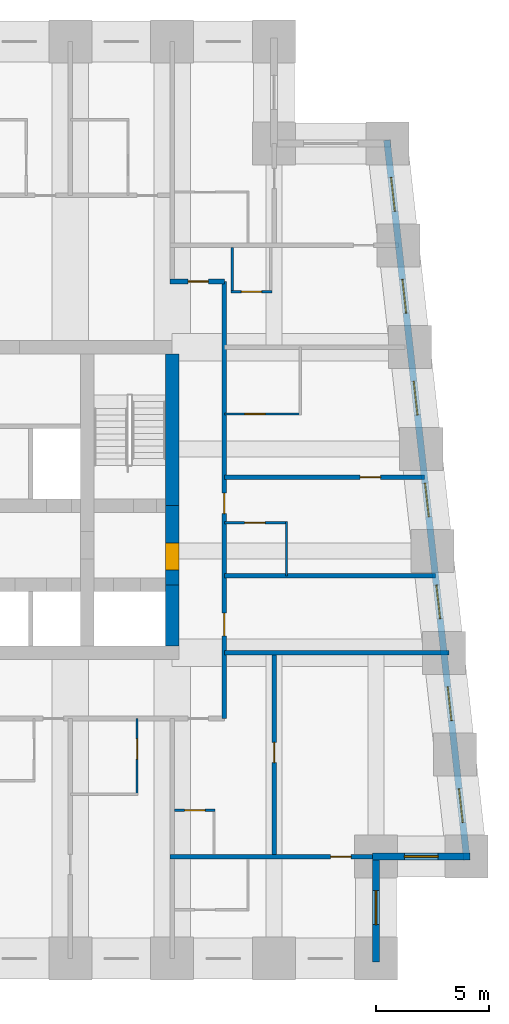
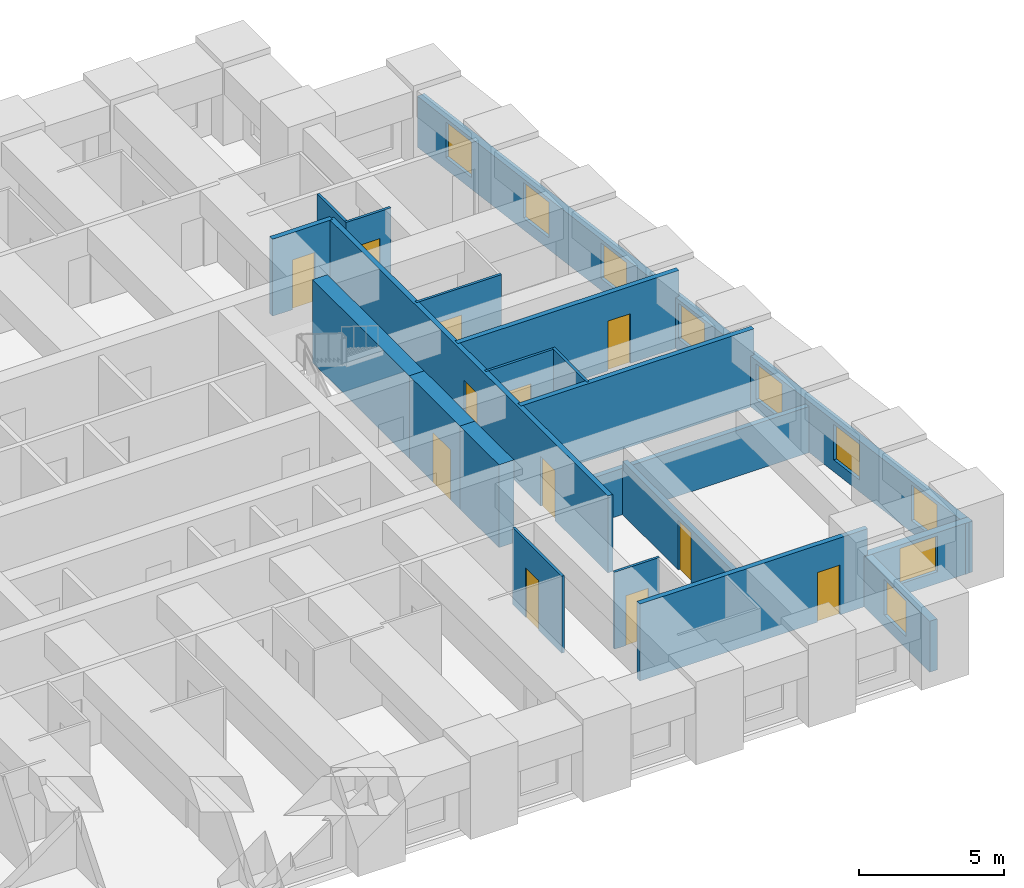
# One storey, part 5 of 8: 20 walls, 12 doors, 9 windows, 21 openings.
"""IFC4 building model written with IfcOpenShell, lengths in metres."""

from ifc_helpers import new_model, si_unit, direction, frame, frame_2d, origin, place, context, subcontext, project, spatial, rectangle, extrude, material, layer, layer_set, type_object, element, fill, save


model = new_model("IFC4")

# Units and contexts
model_context = context("Model", 3, precision=1e-05, world=origin(), true_north=direction((0.0, 1.0)))
body_context = subcontext(model_context, "Body", "Model", "MODEL_VIEW")
ifc_project = project(units=[si_unit("LENGTHUNIT", "METRE"), si_unit("AREAUNIT", "SQUARE_METRE"), si_unit("VOLUMEUNIT", "CUBIC_METRE"), si_unit("PLANEANGLEUNIT", "RADIAN"), si_unit("MASSUNIT", "GRAM", prefix="KILO")], contexts=[model_context])

# Site, building, storey
site_placement = place(None, origin())
site = spatial("IfcSite", under=ifc_project, at=site_placement, CompositionType="ELEMENT")
building_placement = place(site_placement, origin())
building = spatial("IfcBuilding", under=site, at=building_placement, Name="Kilele Tower Hotel", CompositionType="ELEMENT")
storey_placement = place(building_placement, frame((0.0, 0.0, 93.39990234375)))
storey = spatial("IfcBuildingStorey", under=building, at=storey_placement, Name="L23", CompositionType="ELEMENT", Elevation=93.39990234375)

# Wall, opening, door
ifc_material_1 = material(Name="Moisture-resistant board")
ifc_layer_1 = layer(ifc_material_1, 0.10009765625)
ifc_layer_set_1 = layer_set([ifc_layer_1], Name="Moisture-resistant board")
wall_type_1 = type_object("IfcWallType", Name="Bathroom partition 100", PredefinedType="PLUMBINGWALL", material=ifc_layer_set_1)
wall_1_placement = place(storey_placement, frame((34.449951171875, 10.60009765625, 0.0), z_axis=(0.0, 0.0, 1.0), x_axis=(0.0, -1.0, 0.0)))
wall_1 = element("IfcWall", 1, at=wall_1_placement, inside=storey, type_object=wall_type_1, Name="Bathroom partition 100 L23", PredefinedType="PLUMBINGWALL", context=body_context, shape_type="SweptSolid", body=[
    extrude(rectangle(XDim=3.400146484375, YDim=0.10009765625, at=frame_2d((1.7001953125, 0.0))), origin(), (0.0, 0.0, 1.0), 3.25),
])
opening_1_placement = place(wall_1_placement, frame((0.89990234375, 0.0, 0.0)))
opening_1 = element("IfcOpeningElement", 2, at=opening_1_placement, cuts=wall_1, Name="Opening D2A", PredefinedType="OPENING", context=body_context, shape_type="SweptSolid", body=[
    extrude(rectangle(XDim=0.89990234375, YDim=2.10009765625, at=frame_2d((0.449951171875, 1.050048828125))), frame((0.0, 0.06005859375, 0.0), z_axis=(0.0, -1.0, 0.0), x_axis=(1.0, 0.0, 0.0)), (0.0, 0.0, 1.0), 0.1201171875),
])
ifc_material_2 = material(Name="Timber door leaf in hardwood frame", Category="wood")
door_type_1 = type_object("IfcDoorType", Name="Bathroom door 900", OperationType="SINGLE_SWING_LEFT", PredefinedType="DOOR", material=ifc_material_2)
door_1_placement = place(opening_1_placement, origin())
door_1 = element("IfcDoor", 3, at=door_1_placement, inside=storey, type_object=door_type_1, Name="Bathroom door 2305B", OperationType="SINGLE_SWING_LEFT", OverallHeight=2.10009765625, OverallWidth=0.89990234375, PredefinedType="DOOR", context=body_context, shape_type="SweptSolid", body=[
    extrude(rectangle(XDim=0.89990234375, YDim=2.10009765625, at=frame_2d((0.449951171875, 1.050048828125))), frame((0.0, 0.02490234375, 0.0), z_axis=(0.0, -1.0, 0.0), x_axis=(1.0, 0.0, 0.0)), (0.0, 0.0, 1.0), 0.050048828125),
])
fill(opening_1, door_1)

# Wall
wall_2_placement = place(storey_placement, frame((41.050048828125, 16.89990234375, 0.0), z_axis=(0.0, 0.0, 1.0), x_axis=(0.0, 1.0, 0.0)))
element("IfcWall", 4, at=wall_2_placement, inside=storey, type_object=wall_type_1, Name="Bathroom partition 100 L23", PredefinedType="PLUMBINGWALL", context=body_context, shape_type="SweptSolid", body=[
    extrude(rectangle(XDim=2.400146484375, YDim=0.10009765625, at=frame_2d((1.2001953125, 0.0))), origin(), (0.0, 0.0, 1.0), 3.25),
])

# Wall, opening, door
wall_3_placement = place(storey_placement, frame((38.300048828125, 19.25, 0.0), z_axis=(0.0, 0.0, 1.0), x_axis=(1.0, 0.0, 0.0)))
wall_3 = element("IfcWall", 5, at=wall_3_placement, inside=storey, type_object=wall_type_1, Name="Bathroom partition 100 L23", PredefinedType="PLUMBINGWALL", context=body_context, shape_type="SweptSolid", body=[
    extrude(rectangle(XDim=2.800048828125, YDim=0.10009765625, at=frame_2d((1.39990234375, 0.0))), origin(), (0.0, 0.0, 1.0), 3.25),
])
opening_2_placement = place(wall_3_placement, frame((0.89990234375, 0.0, 0.0)))
opening_2 = element("IfcOpeningElement", 6, at=opening_2_placement, cuts=wall_3, Name="Opening D2A", PredefinedType="OPENING", context=body_context, shape_type="SweptSolid", body=[
    extrude(rectangle(XDim=0.89990234375, YDim=2.10009765625, at=frame_2d((0.449951171875, 1.050048828125))), frame((0.0, 0.06005859375, 0.0), z_axis=(0.0, -1.0, 0.0), x_axis=(1.0, 0.0, 0.0)), (0.0, 0.0, 1.0), 0.1201171875),
])
door_2_placement = place(opening_2_placement, origin())
door_2 = element("IfcDoor", 7, at=door_2_placement, inside=storey, type_object=door_type_1, Name="Bathroom door 2307B", OperationType="SINGLE_SWING_LEFT", OverallHeight=2.10009765625, OverallWidth=0.89990234375, PredefinedType="DOOR", context=body_context, shape_type="SweptSolid", body=[
    extrude(rectangle(XDim=0.89990234375, YDim=2.10009765625, at=frame_2d((0.449951171875, 1.050048828125))), frame((0.0, 0.02490234375, 0.0), z_axis=(0.0, -1.0, 0.0), x_axis=(1.0, 0.0, 0.0)), (0.0, 0.0, 1.0), 0.050048828125),
])
fill(opening_2, door_2)

wall_4_placement = place(storey_placement, frame((38.300048828125, 24.050048828125, 0.0), z_axis=(0.0, 0.0, 1.0), x_axis=(1.0, 0.0, 0.0)))
wall_4 = element("IfcWall", 8, at=wall_4_placement, inside=storey, type_object=wall_type_1, Name="Bathroom partition 100 L23", PredefinedType="PLUMBINGWALL", context=body_context, shape_type="SweptSolid", body=[
    extrude(rectangle(XDim=3.39990234375, YDim=0.10009765625, at=frame_2d((1.699951171875, 0.0))), origin(), (0.0, 0.0, 1.0), 3.25),
])
opening_3_placement = place(wall_4_placement, frame((1.7998046875, 0.0, 0.0), z_axis=(0.0, 0.0, 1.0), x_axis=(-1.0, 0.0, 0.0)))
opening_3 = element("IfcOpeningElement", 9, at=opening_3_placement, cuts=wall_4, Name="Opening D2A", PredefinedType="OPENING", context=body_context, shape_type="SweptSolid", body=[
    extrude(rectangle(XDim=0.89990234375, YDim=2.10009765625, at=frame_2d((0.449951171875, 1.050048828125))), frame((0.0, 0.06005859375, 0.0), z_axis=(0.0, -1.0, 0.0), x_axis=(1.0, 0.0, 0.0)), (0.0, 0.0, 1.0), 0.1201171875),
])
door_3_placement = place(opening_3_placement, origin())
door_3 = element("IfcDoor", 10, at=door_3_placement, inside=storey, type_object=door_type_1, Name="Bathroom door 2308B", OperationType="SINGLE_SWING_RIGHT", OverallHeight=2.10009765625, OverallWidth=0.89990234375, PredefinedType="DOOR", context=body_context, shape_type="SweptSolid", body=[
    extrude(rectangle(XDim=0.89990234375, YDim=2.10009765625, at=frame_2d((0.449951171875, 1.050048828125))), frame((0.0, 0.02490234375, 0.0), z_axis=(0.0, -1.0, 0.0), x_axis=(1.0, 0.0, 0.0)), (0.0, 0.0, 1.0), 0.050048828125),
])
fill(opening_3, door_3)

wall_5_placement = place(storey_placement, frame((36.10009765625, 6.550048828125, 0.0), z_axis=(0.0, 0.0, 1.0), x_axis=(1.0, 0.0, 0.0)))
wall_5 = element("IfcWall", 11, at=wall_5_placement, inside=storey, type_object=wall_type_1, Name="Bathroom partition 100 L23", PredefinedType="PLUMBINGWALL", context=body_context, shape_type="SweptSolid", body=[
    extrude(rectangle(XDim=1.7998046875, YDim=0.10009765625, at=frame_2d((0.89990234375, 0.0))), origin(), (0.0, 0.0, 1.0), 3.25),
])
opening_4_placement = place(wall_5_placement, frame((0.449951171875, 0.0, 0.0)))
opening_4 = element("IfcOpeningElement", 12, at=opening_4_placement, cuts=wall_5, Name="Opening D2A", PredefinedType="OPENING", context=body_context, shape_type="SweptSolid", body=[
    extrude(rectangle(XDim=0.89990234375, YDim=2.10009765625, at=frame_2d((0.449951171875, 1.050048828125))), frame((0.0, 0.06005859375, 0.0), z_axis=(0.0, -1.0, 0.0), x_axis=(1.0, 0.0, 0.0)), (0.0, 0.0, 1.0), 0.1201171875),
])
door_4_placement = place(opening_4_placement, origin())
door_4 = element("IfcDoor", 13, at=door_4_placement, inside=storey, type_object=door_type_1, Name="Bathroom door 2320P", OperationType="SINGLE_SWING_LEFT", OverallHeight=2.10009765625, OverallWidth=0.89990234375, PredefinedType="DOOR", context=body_context, shape_type="SweptSolid", body=[
    extrude(rectangle(XDim=0.89990234375, YDim=2.10009765625, at=frame_2d((0.449951171875, 1.050048828125))), frame((0.0, 0.02490234375, 0.0), z_axis=(0.0, -1.0, 0.0), x_axis=(1.0, 0.0, 0.0)), (0.0, 0.0, 1.0), 0.050048828125),
])
fill(opening_4, door_4)

# Wall
wall_6_placement = place(storey_placement, frame((38.64990234375, 31.39990234375, 0.0), z_axis=(0.0, 0.0, 1.0), x_axis=(0.0, -1.0, 0.0)))
element("IfcWall", 14, at=wall_6_placement, inside=storey, type_object=wall_type_1, Name="Bathroom partition 100 L23", PredefinedType="PLUMBINGWALL", context=body_context, shape_type="SweptSolid", body=[
    extrude(rectangle(XDim=2.0, YDim=0.10009765625, at=frame_2d((1.0, 0.0))), origin(), (0.0, 0.0, 1.0), 3.25),
])

# Wall, opening, door
wall_7_placement = place(storey_placement, frame((38.60009765625, 29.449951171875, 0.0), z_axis=(0.0, 0.0, 1.0), x_axis=(1.0, 0.0, 0.0)))
wall_7 = element("IfcWall", 15, at=wall_7_placement, inside=storey, type_object=wall_type_1, Name="Bathroom partition 100 L23", PredefinedType="PLUMBINGWALL", context=body_context, shape_type="SweptSolid", body=[
    extrude(rectangle(XDim=1.7998046875, YDim=0.10009765625, at=frame_2d((0.89990234375, 0.0))), origin(), (0.0, 0.0, 1.0), 3.25),
])
opening_5_placement = place(wall_7_placement, frame((1.349853515625, 0.0, 0.0), z_axis=(0.0, 0.0, 1.0), x_axis=(-1.0, 0.0, 0.0)))
opening_5 = element("IfcOpeningElement", 16, at=opening_5_placement, cuts=wall_7, Name="Opening D2A", PredefinedType="OPENING", context=body_context, shape_type="SweptSolid", body=[
    extrude(rectangle(XDim=0.89990234375, YDim=2.10009765625, at=frame_2d((0.449951171875, 1.050048828125))), frame((0.0, 0.06005859375, 0.0), z_axis=(0.0, -1.0, 0.0), x_axis=(1.0, 0.0, 0.0)), (0.0, 0.0, 1.0), 0.1201171875),
])
door_5_placement = place(opening_5_placement, origin())
door_5 = element("IfcDoor", 17, at=door_5_placement, inside=storey, type_object=door_type_1, Name="Bathroom door 2323P", OperationType="SINGLE_SWING_RIGHT", OverallHeight=2.10009765625, OverallWidth=0.89990234375, PredefinedType="DOOR", context=body_context, shape_type="SweptSolid", body=[
    extrude(rectangle(XDim=0.89990234375, YDim=2.10009765625, at=frame_2d((0.449951171875, 1.050048828125))), frame((0.0, 0.02490234375, 0.0), z_axis=(0.0, -1.0, 0.0), x_axis=(1.0, 0.0, 0.0)), (0.0, 0.0, 1.0), 0.050048828125),
])
fill(opening_5, door_5)

# Wall
ifc_material_3 = material(Name="Concrete C60/75", Category="concrete")
ifc_layer_2 = layer(ifc_material_3, 0.60009765625)
ifc_layer_set_2 = layer_set([ifc_layer_2], Name="Concrete C60/75")
wall_type_2 = type_object("IfcWallType", Name="Core wall 600 C60/75", PredefinedType="SHEAR", material=ifc_layer_set_2)
wall_8_placement = place(storey_placement, frame((36.0, 13.800048828125, 0.0), z_axis=(0.0, 0.0, 1.0), x_axis=(0.0, 1.0, 0.0)))
element("IfcWall", 18, at=wall_8_placement, inside=storey, type_object=wall_type_2, Name="Core wall E1 L23", PredefinedType="SHEAR", context=body_context, shape_type="SweptSolid", body=[
    extrude(rectangle(XDim=2.699951171875, YDim=0.60009765625, at=frame_2d((1.35009765625, 0.0))), origin(), (0.0, 0.0, 1.0), 3.5),
])

# Wall, opening, door
wall_9_placement = place(storey_placement, frame((36.0, 16.5, 0.0), z_axis=(0.0, 0.0, 1.0), x_axis=(0.0, 1.0, 0.0)))
wall_9 = element("IfcWall", 19, at=wall_9_placement, inside=storey, type_object=wall_type_2, Name="Core wall E2 L23", PredefinedType="SHEAR", context=body_context, shape_type="SweptSolid", body=[
    extrude(rectangle(XDim=3.5, YDim=0.60009765625, at=frame_2d((1.75, 0.0))), origin(), (0.0, 0.0, 1.0), 3.5),
])
opening_6_placement = place(wall_9_placement, frame((0.64990234375, 0.0, 0.0)))
opening_6 = element("IfcOpeningElement", 20, at=opening_6_placement, cuts=wall_9, Name="Opening D4", PredefinedType="OPENING", context=body_context, shape_type="SweptSolid", body=[
    extrude(rectangle(XDim=1.199951171875, YDim=2.10009765625, at=frame_2d((0.60009765625, 1.050048828125))), frame((0.0, 0.31005859375, 0.0), z_axis=(0.0, -1.0, 0.0), x_axis=(1.0, 0.0, 0.0)), (0.0, 0.0, 1.0), 0.6201171875),
])
ifc_material_4 = material(Name="Timber door leaf in hardwood frame", Category="wood")
door_type_2 = type_object("IfcDoorType", Name="Firefighting lobby door 1200", OperationType="SINGLE_SWING_LEFT", PredefinedType="DOOR", material=ifc_material_4)
door_6_placement = place(opening_6_placement, origin())
door_6 = element("IfcDoor", 21, at=door_6_placement, inside=storey, type_object=door_type_2, Name="Lobby door L23", OperationType="SINGLE_SWING_LEFT", OverallHeight=2.10009765625, OverallWidth=1.199951171875, PredefinedType="DOOR", context=body_context, shape_type="SweptSolid", body=[
    extrude(rectangle(XDim=1.199951171875, YDim=2.10009765625, at=frame_2d((0.60009765625, 1.050048828125))), frame((0.0, 0.2998046875, 0.0), z_axis=(0.0, -1.0, 0.0), x_axis=(1.0, 0.0, 0.0)), (0.0, 0.0, 1.0), 0.599609375),
])
fill(opening_6, door_6)

# Wall
wall_10_placement = place(storey_placement, frame((36.0, 20.0, 0.0), z_axis=(0.0, 0.0, 1.0), x_axis=(0.0, 1.0, 0.0)))
element("IfcWall", 22, at=wall_10_placement, inside=storey, type_object=wall_type_2, Name="Core wall E3 L23", PredefinedType="SHEAR", context=body_context, shape_type="SweptSolid", body=[
    extrude(rectangle(XDim=6.699951171875, YDim=0.60009765625, at=frame_2d((3.35009765625, 0.0))), origin(), (0.0, 0.0, 1.0), 3.5),
])

# Wall, opening, door
ifc_material_5 = material(Name="Blockwork, plastered both sides", Category="masonry")
ifc_layer_3 = layer(ifc_material_5, 0.199951171875)
ifc_layer_set_3 = layer_set([ifc_layer_3], Name="Blockwork, plastered both sides")
wall_type_3 = type_object("IfcWallType", Name="Corridor wall 200", PredefinedType="PARTITIONING", material=ifc_layer_set_3)
wall_11_placement = place(storey_placement, frame((35.89990234375, 29.89990234375, 0.0), z_axis=(0.0, 0.0, 1.0), x_axis=(1.0, 0.0, 0.0)))
wall_11 = element("IfcWall", 23, at=wall_11_placement, inside=storey, type_object=wall_type_3, Name="Corridor wall 200 L23", PredefinedType="PARTITIONING", context=body_context, shape_type="SweptSolid", body=[
    extrude(rectangle(XDim=2.400146484375, YDim=0.199951171875, at=frame_2d((1.2001953125, 0.0))), origin(), (0.0, 0.0, 1.0), 3.25),
])
opening_7_placement = place(wall_11_placement, frame((0.800048828125, 0.0, 0.0)))
opening_7 = element("IfcOpeningElement", 24, at=opening_7_placement, cuts=wall_11, Name="Opening D1", PredefinedType="OPENING", context=body_context, shape_type="SweptSolid", body=[
    extrude(rectangle(XDim=0.89990234375, YDim=2.10009765625, at=frame_2d((0.449951171875, 1.050048828125))), frame((0.0, 0.10986328125, 0.0), z_axis=(0.0, -1.0, 0.0), x_axis=(1.0, 0.0, 0.0)), (0.0, 0.0, 1.0), 0.219970703125),
])
ifc_material_6 = material(Name="Timber door leaf in hardwood frame", Category="wood")
door_type_3 = type_object("IfcDoorType", Name="Guest room entrance door 900", OperationType="SINGLE_SWING_LEFT", PredefinedType="DOOR", material=ifc_material_6)
door_7_placement = place(opening_7_placement, origin())
door_7 = element("IfcDoor", 25, at=door_7_placement, inside=storey, type_object=door_type_3, Name="Room entrance 2323", OperationType="SINGLE_SWING_LEFT", OverallHeight=2.10009765625, OverallWidth=0.89990234375, PredefinedType="DOOR", context=body_context, shape_type="SweptSolid", body=[
    extrude(rectangle(XDim=0.89990234375, YDim=2.10009765625, at=frame_2d((0.449951171875, 1.050048828125))), frame((0.0, 0.02490234375, 0.0), z_axis=(0.0, -1.0, 0.0), x_axis=(1.0, 0.0, 0.0)), (0.0, 0.0, 1.0), 0.050048828125),
])
fill(opening_7, door_7)

# Wall, openings, doors
wall_12_placement = place(storey_placement, frame((38.300048828125, 10.60009765625, 0.0), z_axis=(0.0, 0.0, 1.0), x_axis=(0.0, 1.0, 0.0)))
wall_12 = element("IfcWall", 26, at=wall_12_placement, inside=storey, type_object=wall_type_3, Name="Corridor wall 200 L23", PredefinedType="PARTITIONING", context=body_context, shape_type="SweptSolid", body=[
    extrude(rectangle(XDim=19.2998046875, YDim=0.199951171875, at=frame_2d((9.64990234375, 0.0))), origin(), (0.0, 0.0, 1.0), 3.25),
])
opening_8_placement = place(wall_12_placement, frame((4.64990234375, 0.0, 0.0), z_axis=(0.0, 0.0, 1.0), x_axis=(-1.0, 0.0, 0.0)))
opening_8 = element("IfcOpeningElement", 27, at=opening_8_placement, cuts=wall_12, Name="Opening D8", PredefinedType="OPENING", context=body_context, shape_type="SweptSolid", body=[
    extrude(rectangle(XDim=1.0, YDim=2.10009765625, at=frame_2d((0.5, 1.050048828125))), frame((0.0, 0.10986328125, 0.0), z_axis=(0.0, -1.0, 0.0), x_axis=(1.0, 0.0, 0.0)), (0.0, 0.0, 1.0), 0.219970703125),
])
opening_9_placement = place(wall_12_placement, frame((9.949951171875, 0.0, 0.0), z_axis=(0.0, 0.0, 1.0), x_axis=(-1.0, 0.0, 0.0)))
opening_9 = element("IfcOpeningElement", 28, at=opening_9_placement, cuts=wall_12, Name="Opening D1", PredefinedType="OPENING", context=body_context, shape_type="SweptSolid", body=[
    extrude(rectangle(XDim=0.89990234375, YDim=2.10009765625, at=frame_2d((0.449951171875, 1.050048828125))), frame((0.0, 0.10986328125, 0.0), z_axis=(0.0, -1.0, 0.0), x_axis=(1.0, 0.0, 0.0)), (0.0, 0.0, 1.0), 0.219970703125),
])
ifc_material_7 = material(Name="Timber door leaf in hardwood frame", Category="wood")
door_type_4 = type_object("IfcDoorType", Name="Door 1000", OperationType="SINGLE_SWING_LEFT", PredefinedType="DOOR", material=ifc_material_7)
door_8_placement = place(opening_8_placement, origin())
door_8 = element("IfcDoor", 29, at=door_8_placement, inside=storey, type_object=door_type_4, Name="Room entrance 2306", OperationType="SINGLE_SWING_RIGHT", OverallHeight=2.10009765625, OverallWidth=1.0, PredefinedType="DOOR", context=body_context, shape_type="SweptSolid", body=[
    extrude(rectangle(XDim=1.0, YDim=2.10009765625, at=frame_2d((0.5, 1.050048828125))), frame((0.0, 0.02490234375, 0.0), z_axis=(0.0, -1.0, 0.0), x_axis=(1.0, 0.0, 0.0)), (0.0, 0.0, 1.0), 0.050048828125),
])
fill(opening_8, door_8)
door_9_placement = place(opening_9_placement, origin())
door_9 = element("IfcDoor", 30, at=door_9_placement, inside=storey, type_object=door_type_3, Name="Room entrance 2307", OperationType="SINGLE_SWING_RIGHT", OverallHeight=2.10009765625, OverallWidth=0.89990234375, PredefinedType="DOOR", context=body_context, shape_type="SweptSolid", body=[
    extrude(rectangle(XDim=0.89990234375, YDim=2.10009765625, at=frame_2d((0.449951171875, 1.050048828125))), frame((0.0, 0.02490234375, 0.0), z_axis=(0.0, -1.0, 0.0), x_axis=(1.0, 0.0, 0.0)), (0.0, 0.0, 1.0), 0.050048828125),
])
fill(opening_9, door_9)

# Wall, opening, door
ifc_material_8 = material(Name="Blockwork, plastered both sides", Category="masonry")
ifc_layer_4 = layer(ifc_material_8, 0.199951171875)
ifc_layer_set_4 = layer_set([ifc_layer_4], Name="Blockwork, plastered both sides")
wall_type_4 = type_object("IfcWallType", Name="Partition wall 200", PredefinedType="PARTITIONING", material=ifc_layer_set_4)
wall_13_placement = place(storey_placement, frame((40.5, 4.60009765625, 0.0), z_axis=(0.0, 0.0, 1.0), x_axis=(0.0, 1.0, 0.0)))
wall_13 = element("IfcWall", 31, at=wall_13_placement, inside=storey, type_object=wall_type_4, Name="Partition wall 200 L23", PredefinedType="PARTITIONING", context=body_context, shape_type="SweptSolid", body=[
    extrude(rectangle(XDim=8.7998046875, YDim=0.199951171875, at=frame_2d((4.39990234375, 0.0))), origin(), (0.0, 0.0, 1.0), 2.25),
])
opening_10_placement = place(wall_13_placement, frame((4.050048828125, 0.0, 0.0)))
opening_10 = element("IfcOpeningElement", 32, at=opening_10_placement, cuts=wall_13, Name="Opening D3", PredefinedType="OPENING", context=body_context, shape_type="SweptSolid", body=[
    extrude(rectangle(XDim=0.89990234375, YDim=2.10009765625, at=frame_2d((0.449951171875, 1.050048828125))), frame((0.0, 0.10986328125, 0.0), z_axis=(0.0, -1.0, 0.0), x_axis=(1.0, 0.0, 0.0)), (0.0, 0.0, 1.0), 0.219970703125),
])
ifc_material_9 = material(Name="Timber door leaf in hardwood frame", Category="wood")
door_type_5 = type_object("IfcDoorType", Name="Suite internal door 900", OperationType="SINGLE_SWING_LEFT", PredefinedType="DOOR", material=ifc_material_9)
door_10_placement = place(opening_10_placement, origin())
door_10 = element("IfcDoor", 33, at=door_10_placement, inside=storey, type_object=door_type_5, Name="Suite door 2321", OperationType="SINGLE_SWING_RIGHT", OverallHeight=2.10009765625, OverallWidth=0.89990234375, PredefinedType="DOOR", context=body_context, shape_type="SweptSolid", body=[
    extrude(rectangle(XDim=0.89990234375, YDim=2.10009765625, at=frame_2d((0.449951171875, 1.050048828125))), frame((0.0, 0.02490234375, 0.0), z_axis=(0.0, -1.0, 0.0), x_axis=(1.0, 0.0, 0.0)), (0.0, 0.0, 1.0), 0.050048828125),
])
fill(opening_10, door_10)

# Wall
ifc_material_10 = material(Name="Blockwork, plastered both sides", Category="masonry")
ifc_layer_5 = layer(ifc_material_10, 0.199951171875)
ifc_layer_set_5 = layer_set([ifc_layer_5], Name="Blockwork, plastered both sides")
wall_type_5 = type_object("IfcWallType", Name="Party wall 200", PredefinedType="PARTITIONING", material=ifc_layer_set_5)
wall_14_placement = place(storey_placement, frame((38.300048828125, 16.89990234375, 0.0), z_axis=(0.0, 0.0, 1.0), x_axis=(1.0, 0.0, 0.0)))
element("IfcWall", 34, at=wall_14_placement, inside=storey, type_object=wall_type_5, Name="Party wall 200 L23", PredefinedType="PARTITIONING", context=body_context, shape_type="SweptSolid", body=[
    extrude(rectangle(XDim=9.3212890625, YDim=0.199951171875, at=frame_2d((4.66064453125, 0.0))), origin(), (0.0, 0.0, 1.0), 3.25),
])

# Wall, opening, door
wall_15_placement = place(storey_placement, frame((38.300048828125, 21.25, 0.0), z_axis=(0.0, 0.0, 1.0), x_axis=(1.0, 0.0, 0.0)))
wall_15 = element("IfcWall", 35, at=wall_15_placement, inside=storey, type_object=wall_type_5, Name="Party wall 200 L23", PredefinedType="PARTITIONING", context=body_context, shape_type="SweptSolid", body=[
    extrude(rectangle(XDim=8.837890625, YDim=0.199951171875, at=frame_2d((4.4189453125, 0.0))), origin(), (0.0, 0.0, 1.0), 3.25),
])
opening_11_placement = place(wall_15_placement, frame((6.0, 0.0, 0.0)))
opening_11 = element("IfcOpeningElement", 36, at=opening_11_placement, cuts=wall_15, Name="Opening D3", PredefinedType="OPENING", context=body_context, shape_type="SweptSolid", body=[
    extrude(rectangle(XDim=0.89990234375, YDim=2.10009765625, at=frame_2d((0.449951171875, 1.050048828125))), frame((0.0, 0.10986328125, 0.0), z_axis=(0.0, -1.0, 0.0), x_axis=(1.0, 0.0, 0.0)), (0.0, 0.0, 1.0), 0.219970703125),
])
door_11_placement = place(opening_11_placement, origin())
door_11 = element("IfcDoor", 37, at=door_11_placement, inside=storey, type_object=door_type_5, Name="Suite door 2308", OperationType="SINGLE_SWING_RIGHT", OverallHeight=2.10009765625, OverallWidth=0.89990234375, PredefinedType="DOOR", context=body_context, shape_type="SweptSolid", body=[
    extrude(rectangle(XDim=0.89990234375, YDim=2.10009765625, at=frame_2d((0.449951171875, 1.050048828125))), frame((0.0, 0.02490234375, 0.0), z_axis=(0.0, -1.0, 0.0), x_axis=(1.0, 0.0, 0.0)), (0.0, 0.0, 1.0), 0.050048828125),
])
fill(opening_11, door_11)

# Wall
wall_16_placement = place(storey_placement, frame((38.300048828125, 13.5, 0.0), z_axis=(0.0, 0.0, 1.0), x_axis=(1.0, 0.0, 0.0)))
element("IfcWall", 38, at=wall_16_placement, inside=storey, type_object=wall_type_5, Name="Party wall 200 L23", PredefinedType="PARTITIONING", context=body_context, shape_type="SweptSolid", body=[
    extrude(rectangle(XDim=9.921142578125, YDim=0.199951171875, at=frame_2d((4.96044921875, 0.0))), origin(), (0.0, 0.0, 1.0), 1.9501953125),
])

# Wall, opening, door
wall_17_placement = place(storey_placement, frame((35.89990234375, 4.5, 0.0), z_axis=(0.0, 0.0, 1.0), x_axis=(1.0, 0.0, 0.0)))
wall_17 = element("IfcWall", 39, at=wall_17_placement, inside=storey, type_object=wall_type_5, Name="Party wall 200 L23", PredefinedType="PARTITIONING", context=body_context, shape_type="SweptSolid", body=[
    extrude(rectangle(XDim=9.10009765625, YDim=0.199951171875, at=frame_2d((4.550048828125, 0.0))), origin(), (0.0, 0.0, 1.0), 3.25),
])
opening_12_placement = place(wall_17_placement, frame((7.10009765625, 0.0, 0.0)))
opening_12 = element("IfcOpeningElement", 40, at=opening_12_placement, cuts=wall_17, Name="Opening D3", PredefinedType="OPENING", context=body_context, shape_type="SweptSolid", body=[
    extrude(rectangle(XDim=0.89990234375, YDim=2.10009765625, at=frame_2d((0.449951171875, 1.050048828125))), frame((0.0, 0.10986328125, 0.0), z_axis=(0.0, -1.0, 0.0), x_axis=(1.0, 0.0, 0.0)), (0.0, 0.0, 1.0), 0.219970703125),
])
door_12_placement = place(opening_12_placement, origin())
door_12 = element("IfcDoor", 41, at=door_12_placement, inside=storey, type_object=door_type_5, Name="Suite door 2322", OperationType="SINGLE_SWING_RIGHT", OverallHeight=2.10009765625, OverallWidth=0.89990234375, PredefinedType="DOOR", context=body_context, shape_type="SweptSolid", body=[
    extrude(rectangle(XDim=0.89990234375, YDim=2.10009765625, at=frame_2d((0.449951171875, 1.050048828125))), frame((0.0, 0.02490234375, 0.0), z_axis=(0.0, -1.0, 0.0), x_axis=(1.0, 0.0, 0.0)), (0.0, 0.0, 1.0), 0.050048828125),
])
fill(opening_12, door_12)

# Wall, opening, window
ifc_material_11 = material(Name="Concrete C40/50 precast", Category="concrete")
ifc_layer_6 = layer(ifc_material_11, 0.260009765625, Name="Precast backing", Category="LoadBearing")
ifc_material_12 = material(Name="Reconstituted stone finish", Category="masonry")
ifc_layer_7 = layer(ifc_material_12, 0.0400390625, Name="Face mix", Category="Finish")
ifc_layer_set_6 = layer_set([ifc_layer_6, ifc_layer_7], Name="Precast concrete C40/50, reconstituted stone finish")
wall_type_6 = type_object("IfcWallType", Name="Precast stone facade wall 300", PredefinedType="STANDARD", material=ifc_layer_set_6)
wall_18_placement = place(storey_placement, frame((45.0, -0.14990234375, 0.0), z_axis=(0.0, 0.0, 1.0), x_axis=(0.0, 1.0, 0.0)))
wall_18 = element("IfcWall", 42, at=wall_18_placement, inside=storey, type_object=wall_type_6, Name="Facade wall L23 edge 4", PredefinedType="STANDARD", context=body_context, shape_type="SweptSolid", body=[
    extrude(rectangle(XDim=4.7998046875, YDim=0.300048828125, at=frame_2d((2.39990234375, 0.0))), origin(), (0.0, 0.0, 1.0), 2.150146484375),
])
opening_13_placement = place(wall_18_placement, frame((1.64990234375, 0.0, 0.5)))
opening_13 = element("IfcOpeningElement", 43, at=opening_13_placement, cuts=wall_18, Name="Opening W2", PredefinedType="OPENING", context=body_context, shape_type="SweptSolid", body=[
    extrude(rectangle(XDim=1.5, YDim=1.5, at=frame_2d((0.75, 0.75))), frame((0.0, 0.159912109375, 0.0), z_axis=(0.0, -1.0, 0.0), x_axis=(1.0, 0.0, 0.0)), (0.0, 0.0, 1.0), 0.320068359375),
])
ifc_material_13 = material(Name="Aluminium frame, clear double glazing", Category="aluminium")
window_type = type_object("IfcWindowType", Name="Window W2 1500 x 1500", PartitioningType="SINGLE_PANEL", PredefinedType="WINDOW", material=ifc_material_13)
window_1_placement = place(opening_13_placement, origin())
window_1 = element("IfcWindow", 44, at=window_1_placement, inside=storey, type_object=window_type, Name="Window L23", OverallHeight=1.5, OverallWidth=1.5, PartitioningType="SINGLE_PANEL", PredefinedType="WINDOW", context=body_context, shape_type="SweptSolid", body=[
    extrude(rectangle(XDim=1.5, YDim=1.5, at=frame_2d((0.75, 0.75))), frame((0.0, 0.030029296875, 0.0), z_axis=(0.0, -1.0, 0.0), x_axis=(1.0, 0.0, 0.0)), (0.0, 0.0, 1.0), 0.06005859375),
])
fill(opening_13, window_1)

wall_19_placement = place(storey_placement, frame((44.85009765625, 4.5, 0.0), z_axis=(0.0, 0.0, 1.0), x_axis=(1.0, 0.0, 0.0)))
wall_19 = element("IfcWall", 45, at=wall_19_placement, inside=storey, type_object=wall_type_6, Name="Facade wall L23 edge 5", PredefinedType="STANDARD", context=body_context, shape_type="SweptSolid", body=[
    extrude(rectangle(XDim=4.2998046875, YDim=0.300048828125, at=frame_2d((2.14990234375, 0.0))), origin(), (0.0, 0.0, 1.0), 2.150146484375),
])
opening_14_placement = place(wall_19_placement, frame((1.39990234375, 0.0, 0.5)))
opening_14 = element("IfcOpeningElement", 46, at=opening_14_placement, cuts=wall_19, Name="Opening W2", PredefinedType="OPENING", context=body_context, shape_type="SweptSolid", body=[
    extrude(rectangle(XDim=1.5, YDim=1.5, at=frame_2d((0.75, 0.75))), frame((0.0, 0.159912109375, 0.0), z_axis=(0.0, -1.0, 0.0), x_axis=(1.0, 0.0, 0.0)), (0.0, 0.0, 1.0), 0.320068359375),
])
window_2_placement = place(opening_14_placement, origin())
window_2 = element("IfcWindow", 47, at=window_2_placement, inside=storey, type_object=window_type, Name="Window L23", OverallHeight=1.5, OverallWidth=1.5, PartitioningType="SINGLE_PANEL", PredefinedType="WINDOW", context=body_context, shape_type="SweptSolid", body=[
    extrude(rectangle(XDim=1.5, YDim=1.5, at=frame_2d((0.75, 0.75))), frame((0.0, 0.030029296875, 0.0), z_axis=(0.0, -1.0, 0.0), x_axis=(1.0, 0.0, 0.0)), (0.0, 0.0, 1.0), 0.06005859375),
])
fill(opening_14, window_2)

# Wall, openings, windows
wall_20_placement = place(storey_placement, frame((49.0166015625, 4.350830078125, 0.0), z_axis=(0.0, 0.0, 1.0), x_axis=(-0.110433201132, 0.993883548555, 0.0)))
wall_20 = element("IfcWall", 48, at=wall_20_placement, inside=storey, type_object=wall_type_6, Name="Facade wall L23 edge 6", PredefinedType="STANDARD", context=body_context, shape_type="SweptSolid", body=[
    extrude(rectangle(XDim=31.994140625, YDim=0.300048828125, at=frame_2d((15.9970703125, 0.0))), origin(), (0.0, 0.0, 1.0), 2.150146484375),
])
opening_15_placement = place(wall_20_placement, frame((1.6640625, 0.0, 0.5)))
opening_15 = element("IfcOpeningElement", 49, at=opening_15_placement, cuts=wall_20, Name="Opening W2", PredefinedType="OPENING", context=body_context, shape_type="SweptSolid", body=[
    extrude(rectangle(XDim=1.5, YDim=1.5, at=frame_2d((0.75, 0.75))), frame((0.0, 0.159912109375, 0.0), z_axis=(0.0, -1.0, 0.0), x_axis=(1.0, 0.0, 0.0)), (0.0, 0.0, 1.0), 0.320068359375),
])
opening_16_placement = place(wall_20_placement, frame((6.19189453125, 0.0, 0.5)))
opening_16 = element("IfcOpeningElement", 50, at=opening_16_placement, cuts=wall_20, Name="Opening W2", PredefinedType="OPENING", context=body_context, shape_type="SweptSolid", body=[
    extrude(rectangle(XDim=1.5, YDim=1.5, at=frame_2d((0.75, 0.75))), frame((0.0, 0.159912109375, 0.0), z_axis=(0.0, -1.0, 0.0), x_axis=(1.0, 0.0, 0.0)), (0.0, 0.0, 1.0), 0.320068359375),
])
opening_17_placement = place(wall_20_placement, frame((10.718994140625, 0.0, 0.5)))
opening_17 = element("IfcOpeningElement", 51, at=opening_17_placement, cuts=wall_20, Name="Opening W2", PredefinedType="OPENING", context=body_context, shape_type="SweptSolid", body=[
    extrude(rectangle(XDim=1.5, YDim=1.5, at=frame_2d((0.75, 0.75))), frame((0.0, 0.159912109375, 0.0), z_axis=(0.0, -1.0, 0.0), x_axis=(1.0, 0.0, 0.0)), (0.0, 0.0, 1.0), 0.320068359375),
])
opening_18_placement = place(wall_20_placement, frame((15.2470703125, 0.0, 0.5)))
opening_18 = element("IfcOpeningElement", 52, at=opening_18_placement, cuts=wall_20, Name="Opening W2", PredefinedType="OPENING", context=body_context, shape_type="SweptSolid", body=[
    extrude(rectangle(XDim=1.5, YDim=1.5, at=frame_2d((0.75, 0.75))), frame((0.0, 0.159912109375, 0.0), z_axis=(0.0, -1.0, 0.0), x_axis=(1.0, 0.0, 0.0)), (0.0, 0.0, 1.0), 0.320068359375),
])
opening_19_placement = place(wall_20_placement, frame((19.77490234375, 0.0, 0.5)))
opening_19 = element("IfcOpeningElement", 53, at=opening_19_placement, cuts=wall_20, Name="Opening W2", PredefinedType="OPENING", context=body_context, shape_type="SweptSolid", body=[
    extrude(rectangle(XDim=1.5, YDim=1.5, at=frame_2d((0.75, 0.75))), frame((0.0, 0.159912109375, 0.0), z_axis=(0.0, -1.0, 0.0), x_axis=(1.0, 0.0, 0.0)), (0.0, 0.0, 1.0), 0.320068359375),
])
opening_20_placement = place(wall_20_placement, frame((24.302001953125, 0.0, 0.5)))
opening_20 = element("IfcOpeningElement", 54, at=opening_20_placement, cuts=wall_20, Name="Opening W2", PredefinedType="OPENING", context=body_context, shape_type="SweptSolid", body=[
    extrude(rectangle(XDim=1.5, YDim=1.5, at=frame_2d((0.75, 0.75))), frame((0.0, 0.159912109375, 0.0), z_axis=(0.0, -1.0, 0.0), x_axis=(1.0, 0.0, 0.0)), (0.0, 0.0, 1.0), 0.320068359375),
])
opening_21_placement = place(wall_20_placement, frame((28.830078125, 0.0, 0.5)))
opening_21 = element("IfcOpeningElement", 55, at=opening_21_placement, cuts=wall_20, Name="Opening W2", PredefinedType="OPENING", context=body_context, shape_type="SweptSolid", body=[
    extrude(rectangle(XDim=1.5, YDim=1.5, at=frame_2d((0.75, 0.75))), frame((0.0, 0.159912109375, 0.0), z_axis=(0.0, -1.0, 0.0), x_axis=(1.0, 0.0, 0.0)), (0.0, 0.0, 1.0), 0.320068359375),
])
window_3_placement = place(opening_15_placement, origin())
window_3 = element("IfcWindow", 56, at=window_3_placement, inside=storey, type_object=window_type, Name="Window L23", OverallHeight=1.5, OverallWidth=1.5, PartitioningType="SINGLE_PANEL", PredefinedType="WINDOW", context=body_context, shape_type="SweptSolid", body=[
    extrude(rectangle(XDim=1.5, YDim=1.5, at=frame_2d((0.75, 0.75))), frame((0.0, 0.030029296875, 0.0), z_axis=(0.0, -1.0, 0.0), x_axis=(1.0, 0.0, 0.0)), (0.0, 0.0, 1.0), 0.06005859375),
])
fill(opening_15, window_3)
window_4_placement = place(opening_16_placement, origin())
window_4 = element("IfcWindow", 57, at=window_4_placement, inside=storey, type_object=window_type, Name="Window L23", OverallHeight=1.5, OverallWidth=1.5, PartitioningType="SINGLE_PANEL", PredefinedType="WINDOW", context=body_context, shape_type="SweptSolid", body=[
    extrude(rectangle(XDim=1.5, YDim=1.5, at=frame_2d((0.75, 0.75))), frame((0.0, 0.030029296875, 0.0), z_axis=(0.0, -1.0, 0.0), x_axis=(1.0, 0.0, 0.0)), (0.0, 0.0, 1.0), 0.06005859375),
])
fill(opening_16, window_4)
window_5_placement = place(opening_17_placement, origin())
window_5 = element("IfcWindow", 58, at=window_5_placement, inside=storey, type_object=window_type, Name="Window L23", OverallHeight=1.5, OverallWidth=1.5, PartitioningType="SINGLE_PANEL", PredefinedType="WINDOW", context=body_context, shape_type="SweptSolid", body=[
    extrude(rectangle(XDim=1.5, YDim=1.5, at=frame_2d((0.75, 0.75))), frame((0.0, 0.030029296875, 0.0), z_axis=(0.0, -1.0, 0.0), x_axis=(1.0, 0.0, 0.0)), (0.0, 0.0, 1.0), 0.06005859375),
])
fill(opening_17, window_5)
window_6_placement = place(opening_18_placement, origin())
window_6 = element("IfcWindow", 59, at=window_6_placement, inside=storey, type_object=window_type, Name="Window L23", OverallHeight=1.5, OverallWidth=1.5, PartitioningType="SINGLE_PANEL", PredefinedType="WINDOW", context=body_context, shape_type="SweptSolid", body=[
    extrude(rectangle(XDim=1.5, YDim=1.5, at=frame_2d((0.75, 0.75))), frame((0.0, 0.030029296875, 0.0), z_axis=(0.0, -1.0, 0.0), x_axis=(1.0, 0.0, 0.0)), (0.0, 0.0, 1.0), 0.06005859375),
])
fill(opening_18, window_6)
window_7_placement = place(opening_19_placement, origin())
window_7 = element("IfcWindow", 60, at=window_7_placement, inside=storey, type_object=window_type, Name="Window L23", OverallHeight=1.5, OverallWidth=1.5, PartitioningType="SINGLE_PANEL", PredefinedType="WINDOW", context=body_context, shape_type="SweptSolid", body=[
    extrude(rectangle(XDim=1.5, YDim=1.5, at=frame_2d((0.75, 0.75))), frame((0.0, 0.030029296875, 0.0), z_axis=(0.0, -1.0, 0.0), x_axis=(1.0, 0.0, 0.0)), (0.0, 0.0, 1.0), 0.06005859375),
])
fill(opening_19, window_7)
window_8_placement = place(opening_20_placement, origin())
window_8 = element("IfcWindow", 61, at=window_8_placement, inside=storey, type_object=window_type, Name="Window L23", OverallHeight=1.5, OverallWidth=1.5, PartitioningType="SINGLE_PANEL", PredefinedType="WINDOW", context=body_context, shape_type="SweptSolid", body=[
    extrude(rectangle(XDim=1.5, YDim=1.5, at=frame_2d((0.75, 0.75))), frame((0.0, 0.030029296875, 0.0), z_axis=(0.0, -1.0, 0.0), x_axis=(1.0, 0.0, 0.0)), (0.0, 0.0, 1.0), 0.06005859375),
])
fill(opening_20, window_8)
window_9_placement = place(opening_21_placement, origin())
window_9 = element("IfcWindow", 62, at=window_9_placement, inside=storey, type_object=window_type, Name="Window L23", OverallHeight=1.5, OverallWidth=1.5, PartitioningType="SINGLE_PANEL", PredefinedType="WINDOW", context=body_context, shape_type="SweptSolid", body=[
    extrude(rectangle(XDim=1.5, YDim=1.5, at=frame_2d((0.75, 0.75))), frame((0.0, 0.030029296875, 0.0), z_axis=(0.0, -1.0, 0.0), x_axis=(1.0, 0.0, 0.0)), (0.0, 0.0, 1.0), 0.06005859375),
])
fill(opening_21, window_9)

save(model, "model.ifc")
